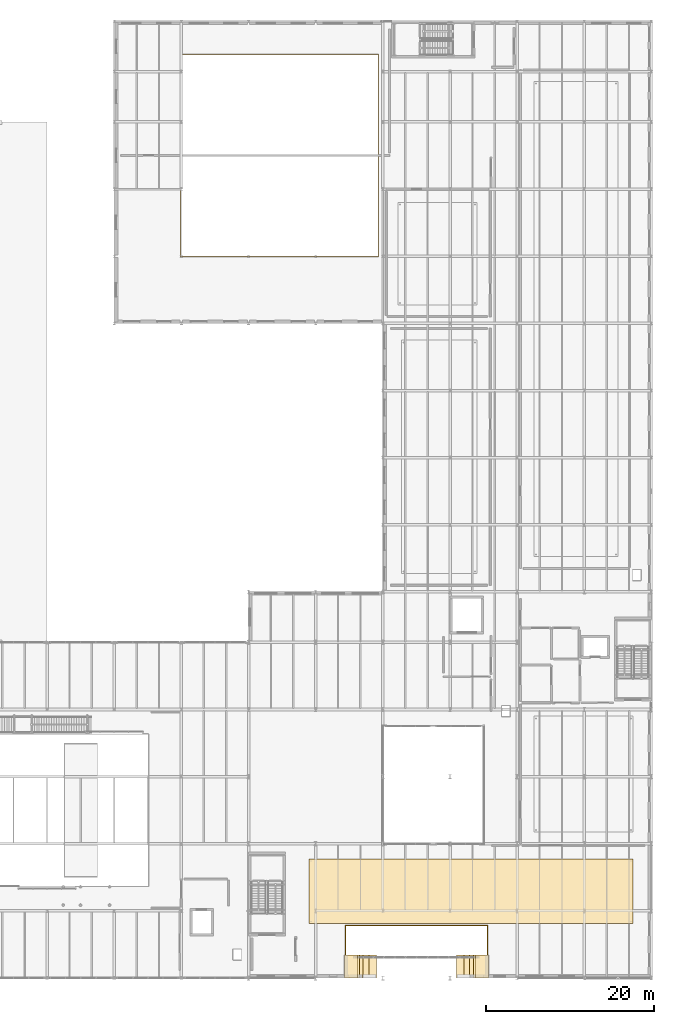
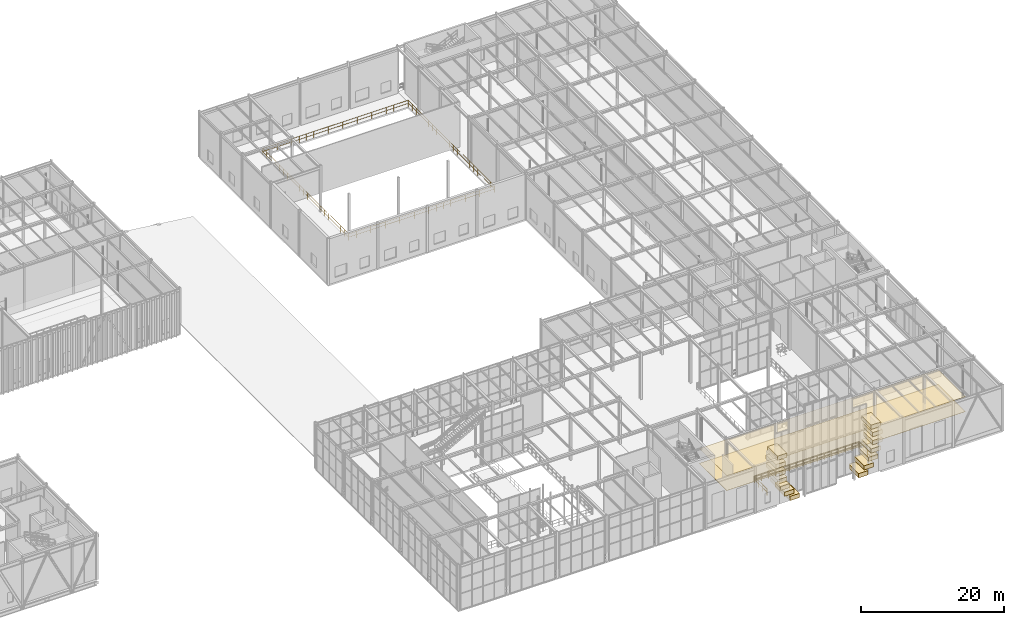
# One storey, part 134 of 138: 16 coverings, 2 railings.
"""IFC4 building model written with IfcOpenShell, lengths in metres."""

from ifc_helpers import new_model, si_unit, direction, frame, origin, origin_2d, place, context, subcontext, project, spatial, polyline, rectangle, circle, outline, extrude, material, layer, layer_set, type_object, element, save


model = new_model("IFC4")

# Units and contexts
model_context = context("Model", 3, precision=1e-05, world=origin(), true_north=direction((0.0, 1.0)))
body_context = subcontext(model_context, "Body", "Model", "MODEL_VIEW")
ifc_project = project(units=[si_unit("LENGTHUNIT", "METRE"), si_unit("AREAUNIT", "SQUARE_METRE"), si_unit("VOLUMEUNIT", "CUBIC_METRE"), si_unit("PLANEANGLEUNIT", "RADIAN"), si_unit("MASSUNIT", "GRAM", prefix="KILO")], contexts=[model_context])

# Site, building, storey
site_placement = place(None, origin())
site = spatial("IfcSite", under=ifc_project, at=site_placement, CompositionType="ELEMENT")
building_placement = place(site_placement, origin())
building = spatial("IfcBuilding", under=site, at=building_placement, Name="Sundkrona Museum", CompositionType="ELEMENT")
storey_placement = place(building_placement, frame((0.0, 0.0, 9.60009765625)))
storey = spatial("IfcBuildingStorey", under=building, at=storey_placement, Name="L02", CompositionType="ELEMENT", Elevation=9.60009765625)

# Coverings
ifc_material_1 = material(Name="Perforated Acoustic Gypsum and Mineral Wool Ceiling", Category="other")
ifc_layer_1 = layer(ifc_material_1, 0.0400390625)
ifc_layer_set_1 = layer_set([ifc_layer_1], Name="Perforated Acoustic Gypsum and Mineral Wool Ceiling")
covering_type_1 = type_object("IfcCoveringType", Name="COV-CEIL-AC", PredefinedType="CEILING", material=ifc_layer_set_1)
covering_1_placement = place(storey_placement, frame((0.0, 0.0, 2.5498046875)))
element("IfcCovering", 1, at=covering_1_placement, inside=storey, type_object=covering_type_1, Name="L02 Paleontology Exhibition Hall Acoustic Ceiling", PredefinedType="CEILING", context=body_context, shape_type="SweptSolid", body=[
    extrude(outline(polyline([(127.199951171875, 6.5), (165.800048828125, 6.5), (165.800048828125, 14.199951171875), (127.199951171875, 14.199951171875), (127.199951171875, 6.5)])), origin(), (0.0, 0.0, 1.0), 0.0400390625),
])
ifc_material_2 = material(Name="Frost-Resistant Vitrified Stoneware Mosaic Cladding", Category="masonry")
ifc_layer_2 = layer(ifc_material_2, 0.044921875)
ifc_layer_set_2 = layer_set([ifc_layer_2], Name="Frost-Resistant Vitrified Stoneware Mosaic Cladding")
covering_type_2 = type_object("IfcCoveringType", Name="COV-CLD-MOS", PredefinedType="CLADDING", material=ifc_layer_set_2)
for number, where, z_axis, x_axis, name in (
    (2, (147.820068359375, 1.3798828125, 6.22412109375), (0.0, 0.0, 1.0), (1.0, 0.0, 0.0), "L02 Giant Round Window Deep Circular Reveal Barrel 01"),
    (3, (147.58251953125, 1.3798828125, 7.57177734375), (0.0, 0.0, 1.0), (1.0, 0.0, 0.0), "L02 Giant Round Window Deep Circular Reveal Barrel 02"),
    (4, (132.41748046875, 1.3798828125, 7.57177734375), (0.0, 0.0, 1.0), (1.0, 0.0, 0.0), "L02 Giant Round Window Deep Circular Reveal Barrel 17"),
    (5, (132.179931640625, 1.3798828125, 6.22412109375), (0.0, 0.0, 1.0), (1.0, 0.0, 0.0), "L02 Giant Round Window Deep Circular Reveal Barrel 18"),
    (6, (132.179931640625, 1.3798828125, 4.85595703125), (0.0, 0.0, 1.0), (1.0, 0.0, 0.0), "L02 Giant Round Window Deep Circular Reveal Barrel 19"),
    (7, (132.41748046875, 1.3798828125, 3.50830078125), (0.0, 0.0, 1.0), (1.0, 0.0, 0.0), "L02 Giant Round Window Deep Circular Reveal Barrel 20"),
    (8, (132.885498046875, 1.3798828125, 2.22216796875), (0.0, 0.0, 1.0), (1.0, 0.0, 0.0), "L02 Giant Round Window Deep Circular Reveal Barrel 21"),
    (9, (133.569580078125, 1.3798828125, 1.037109375), (0.0, 0.0, 1.0), (1.0, 0.0, 0.0), "L02 Giant Round Window Deep Circular Reveal Barrel 22"),
    (10, (134.44921875, 1.3798828125, -0.0107421875), (0.0, 0.0, 1.0), (1.0, 0.0, 0.0), "L02 Giant Round Window Deep Circular Reveal Barrel 23"),
    (11, (145.55078125, 1.3798828125, -0.0107421875), (0.0, 0.0, 1.0), (1.0, 0.0, 0.0), "L02 Giant Round Window Deep Circular Reveal Barrel 32"),
    (12, (146.430419921875, 1.3798828125, 1.037109375), (0.0, 0.0, 1.0), (1.0, 0.0, 0.0), "L02 Giant Round Window Deep Circular Reveal Barrel 33"),
    (13, (147.114501953125, 1.3798828125, 2.22216796875), (0.0, 0.0, 1.0), (1.0, 0.0, 0.0), "L02 Giant Round Window Deep Circular Reveal Barrel 34"),
    (14, (147.58251953125, 1.3798828125, 3.50830078125), (0.0, 0.0, 1.0), (1.0, 0.0, 0.0), "L02 Giant Round Window Deep Circular Reveal Barrel 35"),
    (15, (147.820068359375, 1.3798828125, 4.85595703125), (0.0, 0.0, 1.0), (1.0, 0.0, 0.0), "L02 Giant Round Window Deep Circular Reveal Barrel 36"),
):
    element("IfcCovering", number, at=place(storey_placement, frame(where, z_axis=z_axis, x_axis=x_axis)), inside=storey, type_object=covering_type_2, Name=name, PredefinedType="CLADDING", context=body_context, shape_type="SweptSolid", body=[
        extrude(rectangle(XDim=1.550048828125, YDim=2.739990234375, at=origin_2d()), origin(), (0.0, 0.0, 1.0), 0.719970703125),
    ])
ifc_material_3 = material(Name="Polished Scanian Limestone Terrazzo Flooring", Category="masonry")
ifc_layer_3 = layer(ifc_material_3, 0.034912109375)
ifc_layer_set_3 = layer_set([ifc_layer_3], Name="Polished Scanian Limestone Terrazzo Flooring")
covering_type_3 = type_object("IfcCoveringType", Name="COV-FLR-TZ", PredefinedType="FLOORING", material=ifc_layer_set_3)
covering_2_placement = place(storey_placement, origin())
element("IfcCovering", 16, at=covering_2_placement, inside=storey, type_object=covering_type_3, Name="L02 Paleontology Exhibition Hall Terrazzo Flooring", PredefinedType="FLOORING", context=body_context, shape_type="SweptSolid", body=[
    extrude(outline(polyline([(127.199951171875, 6.5), (165.800048828125, 6.5), (165.800048828125, 14.199951171875), (127.199951171875, 14.199951171875), (127.199951171875, 6.5)])), origin(), (0.0, 0.0, 1.0), 0.034912109375),
])

# Railings
ifc_material_4 = material(Name="Painted Steel S355J2 and Laminated Glass Balustrade", Category="steel")
railing_type = type_object("IfcRailingType", Name="RL-GUARD-1100", PredefinedType="BALUSTRADE", material=ifc_material_4)
railing_1_placement = place(storey_placement, frame((135.4599609375, 110.06005859375, 0.0)))
element("IfcRailing", 17, at=railing_1_placement, inside=storey, type_object=railing_type, Name="L02 Edge Protection Balustrade 038", PredefinedType="BALUSTRADE", context=body_context, shape_type="SweptSolid", body=[
    extrude(circle(Radius=0.02392578125, at=origin_2d()), frame((0.0, 0.0, 1.09619140625), z_axis=(-1.0, 0.0, 0.0), x_axis=(0.0, -1.0, 0.0)), (0.0, 0.0, 1.0), 23.52001953125),
    extrude(circle(Radius=0.02392578125, at=origin_2d()), frame((0.0, 0.0, 0.56005859375), z_axis=(-1.0, 0.0, 0.0), x_axis=(0.0, -1.0, 0.0)), (0.0, 0.0, 1.0), 23.52001953125),
    extrude(circle(Radius=0.02392578125, at=origin_2d()), frame((-23.52001953125, 0.0, 1.09619140625), z_axis=(0.0, -1.0, 0.0), x_axis=(1.0, 0.0, 0.0)), (0.0, 0.0, 1.0), 24.1201171875),
    extrude(circle(Radius=0.02392578125, at=origin_2d()), frame((-23.52001953125, 0.0, 0.56005859375), z_axis=(0.0, -1.0, 0.0), x_axis=(1.0, 0.0, 0.0)), (0.0, 0.0, 1.0), 24.1201171875),
    extrude(circle(Radius=0.02392578125, at=origin_2d()), frame((-23.52001953125, -24.1201171875, 1.09619140625), z_axis=(1.0, 0.0, 0.0), x_axis=(0.0, 1.0, 0.0)), (0.0, 0.0, 1.0), 23.52001953125),
    extrude(circle(Radius=0.02392578125, at=origin_2d()), frame((-23.52001953125, -24.1201171875, 0.56005859375), z_axis=(1.0, 0.0, 0.0), x_axis=(0.0, 1.0, 0.0)), (0.0, 0.0, 1.0), 23.52001953125),
    extrude(circle(Radius=0.02392578125, at=origin_2d()), frame((0.0, -24.1201171875, 1.09619140625), z_axis=(0.0, 1.0, 0.0), x_axis=(-1.0, 0.0, 0.0)), (0.0, 0.0, 1.0), 24.1201171875),
    extrude(circle(Radius=0.02392578125, at=origin_2d()), frame((0.0, -24.1201171875, 0.56005859375), z_axis=(0.0, 1.0, 0.0), x_axis=(-1.0, 0.0, 0.0)), (0.0, 0.0, 1.0), 24.1201171875),
    extrude(circle(Radius=0.02099609375, at=origin_2d()), origin(), (0.0, 0.0, 1.0), 1.072021484375),
    extrude(circle(Radius=0.02099609375, at=origin_2d()), frame((-1.176025390625, 0.0, 0.0)), (0.0, 0.0, 1.0), 1.072021484375),
    extrude(circle(Radius=0.02099609375, at=origin_2d()), frame((-2.35205078125, 0.0, 0.0)), (0.0, 0.0, 1.0), 1.072021484375),
    extrude(circle(Radius=0.02099609375, at=origin_2d()), frame((-3.528076171875, 0.0, 0.0)), (0.0, 0.0, 1.0), 1.072021484375),
    extrude(circle(Radius=0.02099609375, at=origin_2d()), frame((-4.7041015625, 0.0, 0.0)), (0.0, 0.0, 1.0), 1.072021484375),
    extrude(circle(Radius=0.02099609375, at=origin_2d()), frame((-5.8798828125, 0.0, 0.0)), (0.0, 0.0, 1.0), 1.072021484375),
    extrude(circle(Radius=0.02099609375, at=origin_2d()), frame((-7.055908203125, 0.0, 0.0)), (0.0, 0.0, 1.0), 1.072021484375),
    extrude(circle(Radius=0.02099609375, at=origin_2d()), frame((-8.23193359375, 0.0, 0.0)), (0.0, 0.0, 1.0), 1.072021484375),
    extrude(circle(Radius=0.02099609375, at=origin_2d()), frame((-9.407958984375, 0.0, 0.0)), (0.0, 0.0, 1.0), 1.072021484375),
    extrude(circle(Radius=0.02099609375, at=origin_2d()), frame((-10.583984375, 0.0, 0.0)), (0.0, 0.0, 1.0), 1.072021484375),
    extrude(circle(Radius=0.02099609375, at=origin_2d()), frame((-11.760009765625, 0.0, 0.0)), (0.0, 0.0, 1.0), 1.072021484375),
    extrude(circle(Radius=0.02099609375, at=origin_2d()), frame((-12.93603515625, 0.0, 0.0)), (0.0, 0.0, 1.0), 1.072021484375),
    extrude(circle(Radius=0.02099609375, at=origin_2d()), frame((-14.112060546875, 0.0, 0.0)), (0.0, 0.0, 1.0), 1.072021484375),
    extrude(circle(Radius=0.02099609375, at=origin_2d()), frame((-15.2880859375, 0.0, 0.0)), (0.0, 0.0, 1.0), 1.072021484375),
    extrude(circle(Radius=0.02099609375, at=origin_2d()), frame((-16.464111328125, 0.0, 0.0)), (0.0, 0.0, 1.0), 1.072021484375),
    extrude(circle(Radius=0.02099609375, at=origin_2d()), frame((-17.64013671875, 0.0, 0.0)), (0.0, 0.0, 1.0), 1.072021484375),
    extrude(circle(Radius=0.02099609375, at=origin_2d()), frame((-18.81591796875, 0.0, 0.0)), (0.0, 0.0, 1.0), 1.072021484375),
    extrude(circle(Radius=0.02099609375, at=origin_2d()), frame((-19.991943359375, 0.0, 0.0)), (0.0, 0.0, 1.0), 1.072021484375),
    extrude(circle(Radius=0.02099609375, at=origin_2d()), frame((-21.16796875, 0.0, 0.0)), (0.0, 0.0, 1.0), 1.072021484375),
    extrude(circle(Radius=0.02099609375, at=origin_2d()), frame((-22.343994140625, 0.0, 0.0)), (0.0, 0.0, 1.0), 1.072021484375),
    extrude(circle(Radius=0.02099609375, at=origin_2d()), frame((-23.52001953125, 0.0, 0.0)), (0.0, 0.0, 1.0), 1.072021484375),
    extrude(circle(Radius=0.02099609375, at=origin_2d()), frame((-23.52001953125, -1.148681640625, 0.0)), (0.0, 0.0, 1.0), 1.072021484375),
    extrude(circle(Radius=0.02099609375, at=origin_2d()), frame((-23.52001953125, -2.297119140625, 0.0)), (0.0, 0.0, 1.0), 1.072021484375),
    extrude(circle(Radius=0.02099609375, at=origin_2d()), frame((-23.52001953125, -3.44580078125, 0.0)), (0.0, 0.0, 1.0), 1.072021484375),
    extrude(circle(Radius=0.02099609375, at=origin_2d()), frame((-23.52001953125, -4.59423828125, 0.0)), (0.0, 0.0, 1.0), 1.072021484375),
    extrude(circle(Radius=0.02099609375, at=origin_2d()), frame((-23.52001953125, -5.742919921875, 0.0)), (0.0, 0.0, 1.0), 1.072021484375),
    extrude(circle(Radius=0.02099609375, at=origin_2d()), frame((-23.52001953125, -6.891357421875, 0.0)), (0.0, 0.0, 1.0), 1.072021484375),
    extrude(circle(Radius=0.02099609375, at=origin_2d()), frame((-23.52001953125, -8.0400390625, 0.0)), (0.0, 0.0, 1.0), 1.072021484375),
    extrude(circle(Radius=0.02099609375, at=origin_2d()), frame((-23.52001953125, -9.188720703125, 0.0)), (0.0, 0.0, 1.0), 1.072021484375),
    extrude(circle(Radius=0.02099609375, at=origin_2d()), frame((-23.52001953125, -10.337158203125, 0.0)), (0.0, 0.0, 1.0), 1.072021484375),
    extrude(circle(Radius=0.02099609375, at=origin_2d()), frame((-23.52001953125, -11.48583984375, 0.0)), (0.0, 0.0, 1.0), 1.072021484375),
    extrude(circle(Radius=0.02099609375, at=origin_2d()), frame((-23.52001953125, -12.63427734375, 0.0)), (0.0, 0.0, 1.0), 1.072021484375),
    extrude(circle(Radius=0.02099609375, at=origin_2d()), frame((-23.52001953125, -13.782958984375, 0.0)), (0.0, 0.0, 1.0), 1.072021484375),
    extrude(circle(Radius=0.02099609375, at=origin_2d()), frame((-23.52001953125, -14.931396484375, 0.0)), (0.0, 0.0, 1.0), 1.072021484375),
    extrude(circle(Radius=0.02099609375, at=origin_2d()), frame((-23.52001953125, -16.080078125, 0.0)), (0.0, 0.0, 1.0), 1.072021484375),
    extrude(circle(Radius=0.02099609375, at=origin_2d()), frame((-23.52001953125, -17.228759765625, 0.0)), (0.0, 0.0, 1.0), 1.072021484375),
    extrude(circle(Radius=0.02099609375, at=origin_2d()), frame((-23.52001953125, -18.377197265625, 0.0)), (0.0, 0.0, 1.0), 1.072021484375),
    extrude(circle(Radius=0.02099609375, at=origin_2d()), frame((-23.52001953125, -19.52587890625, 0.0)), (0.0, 0.0, 1.0), 1.072021484375),
    extrude(circle(Radius=0.02099609375, at=origin_2d()), frame((-23.52001953125, -20.67431640625, 0.0)), (0.0, 0.0, 1.0), 1.072021484375),
    extrude(circle(Radius=0.02099609375, at=origin_2d()), frame((-23.52001953125, -21.822998046875, 0.0)), (0.0, 0.0, 1.0), 1.072021484375),
    extrude(circle(Radius=0.02099609375, at=origin_2d()), frame((-23.52001953125, -22.971435546875, 0.0)), (0.0, 0.0, 1.0), 1.072021484375),
    extrude(circle(Radius=0.02099609375, at=origin_2d()), frame((-23.52001953125, -24.1201171875, 0.0)), (0.0, 0.0, 1.0), 1.072021484375),
    extrude(circle(Radius=0.02099609375, at=origin_2d()), frame((-22.343994140625, -24.1201171875, 0.0)), (0.0, 0.0, 1.0), 1.072021484375),
    extrude(circle(Radius=0.02099609375, at=origin_2d()), frame((-21.16796875, -24.1201171875, 0.0)), (0.0, 0.0, 1.0), 1.072021484375),
    extrude(circle(Radius=0.02099609375, at=origin_2d()), frame((-19.991943359375, -24.1201171875, 0.0)), (0.0, 0.0, 1.0), 1.072021484375),
    extrude(circle(Radius=0.02099609375, at=origin_2d()), frame((-18.81591796875, -24.1201171875, 0.0)), (0.0, 0.0, 1.0), 1.072021484375),
    extrude(circle(Radius=0.02099609375, at=origin_2d()), frame((-17.64013671875, -24.1201171875, 0.0)), (0.0, 0.0, 1.0), 1.072021484375),
    extrude(circle(Radius=0.02099609375, at=origin_2d()), frame((-16.464111328125, -24.1201171875, 0.0)), (0.0, 0.0, 1.0), 1.072021484375),
    extrude(circle(Radius=0.02099609375, at=origin_2d()), frame((-15.2880859375, -24.1201171875, 0.0)), (0.0, 0.0, 1.0), 1.072021484375),
    extrude(circle(Radius=0.02099609375, at=origin_2d()), frame((-14.112060546875, -24.1201171875, 0.0)), (0.0, 0.0, 1.0), 1.072021484375),
    extrude(circle(Radius=0.02099609375, at=origin_2d()), frame((-12.93603515625, -24.1201171875, 0.0)), (0.0, 0.0, 1.0), 1.072021484375),
    extrude(circle(Radius=0.02099609375, at=origin_2d()), frame((-11.760009765625, -24.1201171875, 0.0)), (0.0, 0.0, 1.0), 1.072021484375),
    extrude(circle(Radius=0.02099609375, at=origin_2d()), frame((-10.583984375, -24.1201171875, 0.0)), (0.0, 0.0, 1.0), 1.072021484375),
    extrude(circle(Radius=0.02099609375, at=origin_2d()), frame((-9.407958984375, -24.1201171875, 0.0)), (0.0, 0.0, 1.0), 1.072021484375),
    extrude(circle(Radius=0.02099609375, at=origin_2d()), frame((-8.23193359375, -24.1201171875, 0.0)), (0.0, 0.0, 1.0), 1.072021484375),
    extrude(circle(Radius=0.02099609375, at=origin_2d()), frame((-7.055908203125, -24.1201171875, 0.0)), (0.0, 0.0, 1.0), 1.072021484375),
    extrude(circle(Radius=0.02099609375, at=origin_2d()), frame((-5.8798828125, -24.1201171875, 0.0)), (0.0, 0.0, 1.0), 1.072021484375),
    extrude(circle(Radius=0.02099609375, at=origin_2d()), frame((-4.7041015625, -24.1201171875, 0.0)), (0.0, 0.0, 1.0), 1.072021484375),
    extrude(circle(Radius=0.02099609375, at=origin_2d()), frame((-3.528076171875, -24.1201171875, 0.0)), (0.0, 0.0, 1.0), 1.072021484375),
    extrude(circle(Radius=0.02099609375, at=origin_2d()), frame((-2.35205078125, -24.1201171875, 0.0)), (0.0, 0.0, 1.0), 1.072021484375),
    extrude(circle(Radius=0.02099609375, at=origin_2d()), frame((-1.176025390625, -24.1201171875, 0.0)), (0.0, 0.0, 1.0), 1.072021484375),
    extrude(circle(Radius=0.02099609375, at=origin_2d()), frame((0.0, -24.1201171875, 0.0)), (0.0, 0.0, 1.0), 1.072021484375),
    extrude(circle(Radius=0.02099609375, at=origin_2d()), frame((0.0, -22.971435546875, 0.0)), (0.0, 0.0, 1.0), 1.072021484375),
    extrude(circle(Radius=0.02099609375, at=origin_2d()), frame((0.0, -21.822998046875, 0.0)), (0.0, 0.0, 1.0), 1.072021484375),
    extrude(circle(Radius=0.02099609375, at=origin_2d()), frame((0.0, -20.67431640625, 0.0)), (0.0, 0.0, 1.0), 1.072021484375),
    extrude(circle(Radius=0.02099609375, at=origin_2d()), frame((0.0, -19.52587890625, 0.0)), (0.0, 0.0, 1.0), 1.072021484375),
    extrude(circle(Radius=0.02099609375, at=origin_2d()), frame((0.0, -18.377197265625, 0.0)), (0.0, 0.0, 1.0), 1.072021484375),
    extrude(circle(Radius=0.02099609375, at=origin_2d()), frame((0.0, -17.228759765625, 0.0)), (0.0, 0.0, 1.0), 1.072021484375),
    extrude(circle(Radius=0.02099609375, at=origin_2d()), frame((0.0, -16.080078125, 0.0)), (0.0, 0.0, 1.0), 1.072021484375),
    extrude(circle(Radius=0.02099609375, at=origin_2d()), frame((0.0, -14.931396484375, 0.0)), (0.0, 0.0, 1.0), 1.072021484375),
    extrude(circle(Radius=0.02099609375, at=origin_2d()), frame((0.0, -13.782958984375, 0.0)), (0.0, 0.0, 1.0), 1.072021484375),
    extrude(circle(Radius=0.02099609375, at=origin_2d()), frame((0.0, -12.63427734375, 0.0)), (0.0, 0.0, 1.0), 1.072021484375),
    extrude(circle(Radius=0.02099609375, at=origin_2d()), frame((0.0, -11.48583984375, 0.0)), (0.0, 0.0, 1.0), 1.072021484375),
    extrude(circle(Radius=0.02099609375, at=origin_2d()), frame((0.0, -10.337158203125, 0.0)), (0.0, 0.0, 1.0), 1.072021484375),
    extrude(circle(Radius=0.02099609375, at=origin_2d()), frame((0.0, -9.188720703125, 0.0)), (0.0, 0.0, 1.0), 1.072021484375),
    extrude(circle(Radius=0.02099609375, at=origin_2d()), frame((0.0, -8.0400390625, 0.0)), (0.0, 0.0, 1.0), 1.072021484375),
    extrude(circle(Radius=0.02099609375, at=origin_2d()), frame((0.0, -6.891357421875, 0.0)), (0.0, 0.0, 1.0), 1.072021484375),
    extrude(circle(Radius=0.02099609375, at=origin_2d()), frame((0.0, -5.742919921875, 0.0)), (0.0, 0.0, 1.0), 1.072021484375),
    extrude(circle(Radius=0.02099609375, at=origin_2d()), frame((0.0, -4.59423828125, 0.0)), (0.0, 0.0, 1.0), 1.072021484375),
    extrude(circle(Radius=0.02099609375, at=origin_2d()), frame((0.0, -3.44580078125, 0.0)), (0.0, 0.0, 1.0), 1.072021484375),
    extrude(circle(Radius=0.02099609375, at=origin_2d()), frame((0.0, -2.297119140625, 0.0)), (0.0, 0.0, 1.0), 1.072021484375),
    extrude(circle(Radius=0.02099609375, at=origin_2d()), frame((0.0, -1.148681640625, 0.0)), (0.0, 0.0, 1.0), 1.072021484375),
])
railing_2_placement = place(storey_placement, frame((148.4599609375, 2.75, 0.0)))
element("IfcRailing", 18, at=railing_2_placement, inside=storey, type_object=railing_type, Name="L02 Edge Protection Balustrade 044", PredefinedType="BALUSTRADE", context=body_context, shape_type="SweptSolid", body=[
    extrude(circle(Radius=0.02392578125, at=origin_2d()), frame((0.0, 0.0, 1.09619140625), z_axis=(0.0, 1.0, 0.0), x_axis=(-1.0, 0.0, 0.0)), (0.0, 0.0, 1.0), 3.510009765625),
    extrude(circle(Radius=0.02392578125, at=origin_2d()), frame((0.0, 0.0, 0.56005859375), z_axis=(0.0, 1.0, 0.0), x_axis=(-1.0, 0.0, 0.0)), (0.0, 0.0, 1.0), 3.510009765625),
    extrude(circle(Radius=0.02392578125, at=origin_2d()), frame((0.0, 3.510009765625, 1.09619140625), z_axis=(-1.0, 0.0, 0.0), x_axis=(0.0, -1.0, 0.0)), (0.0, 0.0, 1.0), 16.919921875),
    extrude(circle(Radius=0.02392578125, at=origin_2d()), frame((0.0, 3.510009765625, 0.56005859375), z_axis=(-1.0, 0.0, 0.0), x_axis=(0.0, -1.0, 0.0)), (0.0, 0.0, 1.0), 16.919921875),
    extrude(circle(Radius=0.02392578125, at=origin_2d()), frame((-16.919921875, 3.510009765625, 1.09619140625), z_axis=(0.0, -1.0, 0.0), x_axis=(1.0, 0.0, 0.0)), (0.0, 0.0, 1.0), 3.510009765625),
    extrude(circle(Radius=0.02392578125, at=origin_2d()), frame((-16.919921875, 3.510009765625, 0.56005859375), z_axis=(0.0, -1.0, 0.0), x_axis=(1.0, 0.0, 0.0)), (0.0, 0.0, 1.0), 3.510009765625),
    extrude(circle(Radius=0.02099609375, at=origin_2d()), origin(), (0.0, 0.0, 1.0), 1.072021484375),
    extrude(circle(Radius=0.02099609375, at=origin_2d()), frame((0.0, 1.169921875, 0.0)), (0.0, 0.0, 1.0), 1.072021484375),
    extrude(circle(Radius=0.02099609375, at=origin_2d()), frame((0.0, 2.340087890625, 0.0)), (0.0, 0.0, 1.0), 1.072021484375),
    extrude(circle(Radius=0.02099609375, at=origin_2d()), frame((0.0, 3.510009765625, 0.0)), (0.0, 0.0, 1.0), 1.072021484375),
    extrude(circle(Radius=0.02099609375, at=origin_2d()), frame((-1.1279296875, 3.510009765625, 0.0)), (0.0, 0.0, 1.0), 1.072021484375),
    extrude(circle(Radius=0.02099609375, at=origin_2d()), frame((-2.256103515625, 3.510009765625, 0.0)), (0.0, 0.0, 1.0), 1.072021484375),
    extrude(circle(Radius=0.02099609375, at=origin_2d()), frame((-3.384033203125, 3.510009765625, 0.0)), (0.0, 0.0, 1.0), 1.072021484375),
    extrude(circle(Radius=0.02099609375, at=origin_2d()), frame((-4.511962890625, 3.510009765625, 0.0)), (0.0, 0.0, 1.0), 1.072021484375),
    extrude(circle(Radius=0.02099609375, at=origin_2d()), frame((-5.639892578125, 3.510009765625, 0.0)), (0.0, 0.0, 1.0), 1.072021484375),
    extrude(circle(Radius=0.02099609375, at=origin_2d()), frame((-6.76806640625, 3.510009765625, 0.0)), (0.0, 0.0, 1.0), 1.072021484375),
    extrude(circle(Radius=0.02099609375, at=origin_2d()), frame((-7.89599609375, 3.510009765625, 0.0)), (0.0, 0.0, 1.0), 1.072021484375),
    extrude(circle(Radius=0.02099609375, at=origin_2d()), frame((-9.02392578125, 3.510009765625, 0.0)), (0.0, 0.0, 1.0), 1.072021484375),
    extrude(circle(Radius=0.02099609375, at=origin_2d()), frame((-10.15185546875, 3.510009765625, 0.0)), (0.0, 0.0, 1.0), 1.072021484375),
    extrude(circle(Radius=0.02099609375, at=origin_2d()), frame((-11.280029296875, 3.510009765625, 0.0)), (0.0, 0.0, 1.0), 1.072021484375),
    extrude(circle(Radius=0.02099609375, at=origin_2d()), frame((-12.407958984375, 3.510009765625, 0.0)), (0.0, 0.0, 1.0), 1.072021484375),
    extrude(circle(Radius=0.02099609375, at=origin_2d()), frame((-13.535888671875, 3.510009765625, 0.0)), (0.0, 0.0, 1.0), 1.072021484375),
    extrude(circle(Radius=0.02099609375, at=origin_2d()), frame((-14.663818359375, 3.510009765625, 0.0)), (0.0, 0.0, 1.0), 1.072021484375),
    extrude(circle(Radius=0.02099609375, at=origin_2d()), frame((-15.7919921875, 3.510009765625, 0.0)), (0.0, 0.0, 1.0), 1.072021484375),
    extrude(circle(Radius=0.02099609375, at=origin_2d()), frame((-16.919921875, 3.510009765625, 0.0)), (0.0, 0.0, 1.0), 1.072021484375),
    extrude(circle(Radius=0.02099609375, at=origin_2d()), frame((-16.919921875, 2.340087890625, 0.0)), (0.0, 0.0, 1.0), 1.072021484375),
    extrude(circle(Radius=0.02099609375, at=origin_2d()), frame((-16.919921875, 1.169921875, 0.0)), (0.0, 0.0, 1.0), 1.072021484375),
    extrude(circle(Radius=0.02099609375, at=origin_2d()), frame((-16.919921875, 0.0, 0.0)), (0.0, 0.0, 1.0), 1.072021484375),
])

save(model, "model.ifc")
